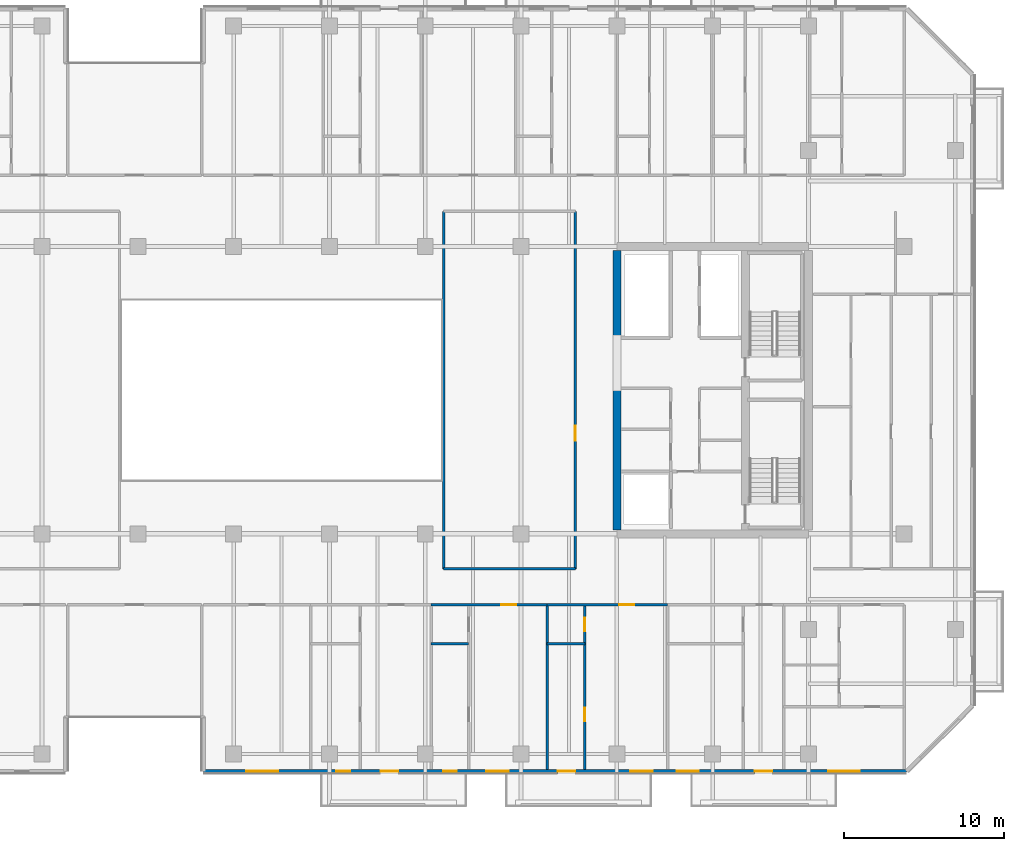
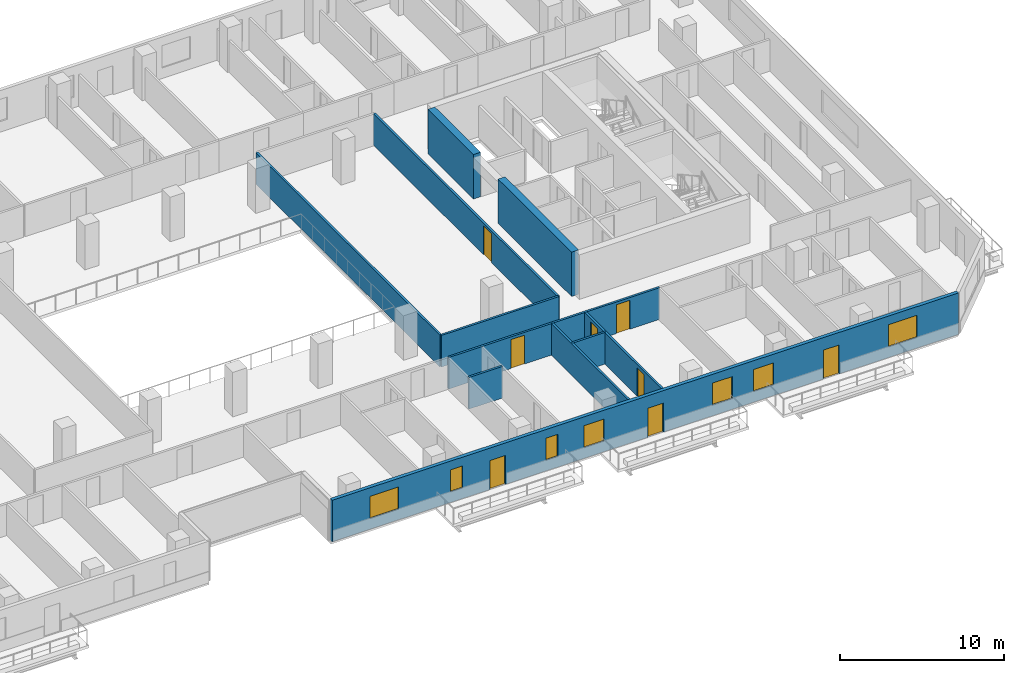
# One storey, part 12 of 23: 12 walls, 8 doors, 7 windows, 15 openings.
"""IFC4 building model written with IfcOpenShell, lengths in metres."""

from ifc_helpers import new_model, si_unit, direction, frame, frame_2d, origin, place, context, subcontext, project, spatial, rectangle, extrude, material, layer, layer_set, type_object, element, fill, save


model = new_model("IFC4")

# Units and contexts
model_context = context("Model", 3, precision=1e-05, world=origin(), true_north=direction((0.0, 1.0)))
body_context = subcontext(model_context, "Body", "Model", "MODEL_VIEW")
ifc_project = project(units=[si_unit("LENGTHUNIT", "METRE"), si_unit("AREAUNIT", "SQUARE_METRE"), si_unit("VOLUMEUNIT", "CUBIC_METRE"), si_unit("PLANEANGLEUNIT", "RADIAN"), si_unit("MASSUNIT", "GRAM", prefix="KILO")], contexts=[model_context])

# Site, building, storey
site_placement = place(None, origin())
site = spatial("IfcSite", under=ifc_project, at=site_placement, CompositionType="ELEMENT")
building_placement = place(site_placement, origin())
building = spatial("IfcBuilding", under=site, at=building_placement, Name="Tanjung Sevakor Pilgrim Tower", CompositionType="ELEMENT")
storey_placement = place(building_placement, frame((0.0, 0.0, 101.969970703125)))
storey = spatial("IfcBuildingStorey", under=building, at=storey_placement, Name="L28", CompositionType="ELEMENT", Elevation=101.969970703125)

# Walls
ifc_material_1 = material(Name="Concrete C60/75", Category="concrete")
ifc_layer_1 = layer(ifc_material_1, 0.5)
ifc_layer_set_1 = layer_set([ifc_layer_1], Name="WALL-CW-500")
wall_type_1 = type_object("IfcWallType", Name="WALL-CW-500", PredefinedType="SHEAR", material=ifc_layer_set_1)
wall_1_placement = place(storey_placement, frame((78.0, 24.85009765625, 0.0), z_axis=(0.0, 0.0, 1.0), x_axis=(0.0, 1.0, 0.0)))
element("IfcWall", 1, at=wall_1_placement, inside=storey, type_object=wall_type_1, Name="L28 E Core Inner Shear Wall South", PredefinedType="SHEAR", context=body_context, shape_type="SweptSolid", body=[
    extrude(rectangle(XDim=8.949951171875, YDim=0.5, at=frame_2d((4.47509765625, 0.0))), origin(), (0.0, 0.0, 1.0), 3.300048828125),
])
wall_2_placement = place(storey_placement, frame((78.0, 36.800048828125, 0.0), z_axis=(0.0, 0.0, 1.0), x_axis=(0.0, 1.0, 0.0)))
element("IfcWall", 2, at=wall_2_placement, inside=storey, type_object=wall_type_1, Name="L28 E Core Inner Shear Wall North", PredefinedType="SHEAR", context=body_context, shape_type="SweptSolid", body=[
    extrude(rectangle(XDim=5.550048828125, YDim=0.5, at=frame_2d((2.77490234375, 0.0))), origin(), (0.0, 0.0, 1.0), 3.300048828125),
])
ifc_material_2 = material(Name="Concrete C40/50", Category="concrete")
ifc_layer_2 = layer(ifc_material_2, 0.14990234375)
ifc_layer_set_2 = layer_set([ifc_layer_2], Name="WT-COMP-150")
wall_type_2 = type_object("IfcWallType", Name="WT-COMP-150", PredefinedType="SOLIDWALL", material=ifc_layer_set_2)
wall_3_placement = place(storey_placement, frame((67.14990234375, 22.39990234375, 0.0), z_axis=(0.0, 0.0, 1.0), x_axis=(1.0, 0.0, 0.0)))
element("IfcWall", 3, at=wall_3_placement, inside=storey, type_object=wall_type_2, Name="L28 Partition IW-L28-029", PredefinedType="SOLIDWALL", context=body_context, shape_type="SweptSolid", body=[
    extrude(rectangle(XDim=8.25, YDim=0.14990234375, at=frame_2d((4.125, 0.0))), origin(), (0.0, 0.0, 1.0), 2.35009765625),
])
wall_4_placement = place(storey_placement, frame((67.14990234375, 22.39990234375, 0.0), z_axis=(0.0, 0.0, 1.0), x_axis=(0.0, 1.0, 0.0)))
element("IfcWall", 4, at=wall_4_placement, inside=storey, type_object=wall_type_2, Name="L28 Partition IW-L28-031", PredefinedType="SOLIDWALL", context=body_context, shape_type="SweptSolid", body=[
    extrude(rectangle(XDim=22.400146484375, YDim=0.14990234375, at=frame_2d((11.2001953125, 0.0))), origin(), (0.0, 0.0, 1.0), 2.35009765625),
])

# Wall, opening, door
wall_5_placement = place(storey_placement, frame((75.39990234375, 22.39990234375, 0.0), z_axis=(0.0, 0.0, 1.0), x_axis=(0.0, 1.0, 0.0)))
wall_5 = element("IfcWall", 5, at=wall_5_placement, inside=storey, type_object=wall_type_2, Name="L28 Partition IW-L28-032", PredefinedType="SOLIDWALL", context=body_context, shape_type="SweptSolid", body=[
    extrude(rectangle(XDim=22.400146484375, YDim=0.14990234375, at=frame_2d((11.2001953125, 0.0))), origin(), (0.0, 0.0, 1.0), 2.35009765625),
])
opening_1_placement = place(wall_5_placement, frame((8.02490234375, 0.0, 0.0)))
opening_1 = element("IfcOpeningElement", 6, at=opening_1_placement, cuts=wall_5, Name="Opening ID-RM1", PredefinedType="OPENING", context=body_context, shape_type="SweptSolid", body=[
    extrude(rectangle(XDim=0.949951171875, YDim=2.14990234375, at=frame_2d((0.47509765625, 1.074951171875))), frame((0.0, 0.0849609375, 0.0), z_axis=(0.0, -1.0, 0.0), x_axis=(1.0, 0.0, 0.0)), (0.0, 0.0, 1.0), 0.169921875),
])
ifc_material_3 = material(Name="Hardwood Timber", Category="wood")
door_type_1 = type_object("IfcDoorType", Name="DT-INT-950", OperationType="NOTDEFINED", PredefinedType="DOOR", material=ifc_material_3)
door_1_placement = place(opening_1_placement, origin())
door_1 = element("IfcDoor", 7, at=door_1_placement, inside=storey, type_object=door_type_1, Name="L28 Central East Room Door", OperationType="SINGLE_SWING_LEFT", OverallHeight=2.14990234375, OverallWidth=0.949951171875, PredefinedType="DOOR", context=body_context, shape_type="SweptSolid", body=[
    extrude(rectangle(XDim=0.949951171875, YDim=2.14990234375, at=frame_2d((0.47509765625, 1.074951171875))), frame((0.0, 0.02490234375, 0.0), z_axis=(0.0, -1.0, 0.0), x_axis=(1.0, 0.0, 0.0)), (0.0, 0.0, 1.0), 0.050048828125),
])
fill(opening_1, door_1)

# Wall
wall_6_placement = place(storey_placement, frame((73.640869140625, 9.85009765625, 0.0), z_axis=(0.0, 0.0, 1.0), x_axis=(0.0, 1.0, 0.0)))
element("IfcWall", 8, at=wall_6_placement, inside=storey, type_object=wall_type_2, Name="L28 Partition IW-L28-064", PredefinedType="SOLIDWALL", context=body_context, shape_type="SweptSolid", body=[
    extrude(rectangle(XDim=10.2998046875, YDim=0.14990234375, at=frame_2d((5.14990234375, 0.0))), origin(), (0.0, 0.0, 1.0), 2.35009765625),
])

# Wall, opening, door
wall_7_placement = place(storey_placement, frame((66.3740234375, 20.14990234375, 0.0), z_axis=(0.0, 0.0, 1.0), x_axis=(1.0, 0.0, 0.0)))
wall_7 = element("IfcWall", 9, at=wall_7_placement, inside=storey, type_object=wall_type_2, Name="L28 Partition IW-L28-067", PredefinedType="SOLIDWALL", context=body_context, shape_type="SweptSolid", body=[
    extrude(rectangle(XDim=7.266845703125, YDim=0.14990234375, at=frame_2d((3.63330078125, 0.0))), origin(), (0.0, 0.0, 1.0), 2.35009765625),
])
opening_2_placement = place(wall_7_placement, frame((4.373291015625, 0.0, 0.0)))
opening_2 = element("IfcOpeningElement", 10, at=opening_2_placement, cuts=wall_7, Name="Opening ID-FD2", PredefinedType="OPENING", context=body_context, shape_type="SweptSolid", body=[
    extrude(rectangle(XDim=0.949951171875, YDim=2.14990234375, at=frame_2d((0.47509765625, 1.074951171875))), frame((0.0, 0.0849609375, 0.0), z_axis=(0.0, -1.0, 0.0), x_axis=(1.0, 0.0, 0.0)), (0.0, 0.0, 1.0), 0.169921875),
])
ifc_material_4 = material(Name="Fire-Rated Timber", Category="wood")
door_type_2 = type_object("IfcDoorType", Name="DT-FIRE-950", OperationType="NOTDEFINED", PredefinedType="DOOR", material=ifc_material_4)
door_2_placement = place(opening_2_placement, origin())
door_2 = element("IfcDoor", 11, at=door_2_placement, inside=storey, type_object=door_type_2, Name="Hostel Quad Entrance", OperationType="SINGLE_SWING_LEFT", OverallHeight=2.14990234375, OverallWidth=0.949951171875, PredefinedType="DOOR", context=body_context, shape_type="SweptSolid", body=[
    extrude(rectangle(XDim=0.949951171875, YDim=2.14990234375, at=frame_2d((0.47509765625, 1.074951171875))), frame((0.0, 0.02490234375, 0.0), z_axis=(0.0, -1.0, 0.0), x_axis=(1.0, 0.0, 0.0)), (0.0, 0.0, 1.0), 0.050048828125),
])
fill(opening_2, door_2)

wall_8_placement = place(storey_placement, frame((73.640869140625, 20.14990234375, 0.0), z_axis=(0.0, 0.0, 1.0), x_axis=(1.0, 0.0, 0.0)))
wall_8 = element("IfcWall", 12, at=wall_8_placement, inside=storey, type_object=wall_type_2, Name="L28 Partition IW-L28-071", PredefinedType="SOLIDWALL", context=body_context, shape_type="SweptSolid", body=[
    extrude(rectangle(XDim=7.546142578125, YDim=0.14990234375, at=frame_2d((3.77294921875, 0.0))), origin(), (0.0, 0.0, 1.0), 2.35009765625),
])
opening_3_placement = place(wall_8_placement, frame((4.51318359375, 0.0, 0.0)))
opening_3 = element("IfcOpeningElement", 13, at=opening_3_placement, cuts=wall_8, Name="Opening ID-FD2", PredefinedType="OPENING", context=body_context, shape_type="SweptSolid", body=[
    extrude(rectangle(XDim=0.949951171875, YDim=2.14990234375, at=frame_2d((0.47509765625, 1.074951171875))), frame((0.0, 0.0849609375, 0.0), z_axis=(0.0, -1.0, 0.0), x_axis=(1.0, 0.0, 0.0)), (0.0, 0.0, 1.0), 0.169921875),
])
door_3_placement = place(opening_3_placement, origin())
door_3 = element("IfcDoor", 14, at=door_3_placement, inside=storey, type_object=door_type_2, Name="Hostel Quad Entrance", OperationType="SINGLE_SWING_RIGHT", OverallHeight=2.14990234375, OverallWidth=0.949951171875, PredefinedType="DOOR", context=body_context, shape_type="SweptSolid", body=[
    extrude(rectangle(XDim=0.949951171875, YDim=2.14990234375, at=frame_2d((0.47509765625, 1.074951171875))), frame((0.0, 0.02490234375, 0.0), z_axis=(0.0, -1.0, 0.0), x_axis=(1.0, 0.0, 0.0)), (0.0, 0.0, 1.0), 0.050048828125),
])
fill(opening_3, door_3)

# Wall, openings, doors, windows
ifc_material_5 = material(Name="Precast concrete C45/55", Category="concrete")
ifc_layer_3 = layer(ifc_material_5, 0.25)
ifc_layer_set_3 = layer_set([ifc_layer_3], Name="WT-EW-STN3")
wall_type_3 = type_object("IfcWallType", Name="WT-EW-STN3", PredefinedType="SOLIDWALL", material=ifc_layer_set_3)
wall_9_placement = place(storey_placement, frame((52.125, 9.72509765625, 0.0), z_axis=(0.0, 0.0, 1.0), x_axis=(1.0, 0.0, 0.0)))
wall_9 = element("IfcWall", 15, at=wall_9_placement, inside=storey, type_object=wall_type_3, Name="L28 MAIN Exterior Wall 5", PredefinedType="SOLIDWALL", context=body_context, shape_type="SweptSolid", body=[
    extrude(rectangle(XDim=44.023193359375, YDim=0.25, at=frame_2d((22.01171875, 0.0))), origin(), (0.0, 0.0, 1.0), 3.080078125),
])
opening_4_placement = place(wall_9_placement, frame((11.074951171875, 0.0, 0.0)))
opening_4 = element("IfcOpeningElement", 16, at=opening_4_placement, cuts=wall_9, Name="Opening ED-BAL-1100", PredefinedType="OPENING", context=body_context, shape_type="SweptSolid", body=[
    extrude(rectangle(XDim=1.10009765625, YDim=2.14990234375, at=frame_2d((0.550048828125, 1.074951171875))), frame((0.0, 0.135009765625, 0.0), z_axis=(0.0, -1.0, 0.0), x_axis=(1.0, 0.0, 0.0)), (0.0, 0.0, 1.0), 0.27001953125),
])
opening_5_placement = place(wall_9_placement, frame((22.175048828125, 0.0, 0.0)))
opening_5 = element("IfcOpeningElement", 17, at=opening_5_placement, cuts=wall_9, Name="Opening ED-BAL-1100", PredefinedType="OPENING", context=body_context, shape_type="SweptSolid", body=[
    extrude(rectangle(XDim=1.10009765625, YDim=2.14990234375, at=frame_2d((0.550048828125, 1.074951171875))), frame((0.0, 0.135009765625, 0.0), z_axis=(0.0, -1.0, 0.0), x_axis=(1.0, 0.0, 0.0)), (0.0, 0.0, 1.0), 0.27001953125),
])
opening_6_placement = place(wall_9_placement, frame((34.52490234375, 0.0, 0.0)))
opening_6 = element("IfcOpeningElement", 18, at=opening_6_placement, cuts=wall_9, Name="Opening ED-BAL-1100", PredefinedType="OPENING", context=body_context, shape_type="SweptSolid", body=[
    extrude(rectangle(XDim=1.10009765625, YDim=2.14990234375, at=frame_2d((0.550048828125, 1.074951171875))), frame((0.0, 0.135009765625, 0.0), z_axis=(0.0, -1.0, 0.0), x_axis=(1.0, 0.0, 0.0)), (0.0, 0.0, 1.0), 0.27001953125),
])
opening_7_placement = place(wall_9_placement, frame((2.6689453125, 0.0, 0.780029296875)))
opening_7 = element("IfcOpeningElement", 19, at=opening_7_placement, cuts=wall_9, Name="Opening WN-Z2-1660", PredefinedType="OPENING", context=body_context, shape_type="SweptSolid", body=[
    extrude(rectangle(XDim=2.0, YDim=1.659912109375, at=frame_2d((1.0, 0.830078125))), frame((0.0, 0.135009765625, 0.0), z_axis=(0.0, -1.0, 0.0), x_axis=(1.0, 0.0, 0.0)), (0.0, 0.0, 1.0), 0.27001953125),
])
opening_8_placement = place(wall_9_placement, frame((8.31396484375, 0.0, 0.780029296875)))
opening_8 = element("IfcOpeningElement", 20, at=opening_8_placement, cuts=wall_9, Name="Opening WN-SLM", PredefinedType="OPENING", context=body_context, shape_type="SweptSolid", body=[
    extrude(rectangle(XDim=0.85009765625, YDim=1.64990234375, at=frame_2d((0.425048828125, 0.824951171875))), frame((0.0, 0.135009765625, 0.0), z_axis=(0.0, -1.0, 0.0), x_axis=(1.0, 0.0, 0.0)), (0.0, 0.0, 1.0), 0.27001953125),
])
opening_9_placement = place(wall_9_placement, frame((15.009033203125, 0.0, 0.780029296875)))
opening_9 = element("IfcOpeningElement", 21, at=opening_9_placement, cuts=wall_9, Name="Opening WN-SLM", PredefinedType="OPENING", context=body_context, shape_type="SweptSolid", body=[
    extrude(rectangle(XDim=0.85009765625, YDim=1.64990234375, at=frame_2d((0.425048828125, 0.824951171875))), frame((0.0, 0.135009765625, 0.0), z_axis=(0.0, -1.0, 0.0), x_axis=(1.0, 0.0, 0.0)), (0.0, 0.0, 1.0), 0.27001953125),
])
opening_10_placement = place(wall_9_placement, frame((17.70751953125, 0.0, 0.780029296875)))
opening_10 = element("IfcOpeningElement", 22, at=opening_10_placement, cuts=wall_9, Name="Opening WN-END", PredefinedType="OPENING", context=body_context, shape_type="SweptSolid", body=[
    extrude(rectangle(XDim=1.39990234375, YDim=1.64990234375, at=frame_2d((0.699951171875, 0.824951171875))), frame((0.0, 0.135009765625, 0.0), z_axis=(0.0, -1.0, 0.0), x_axis=(1.0, 0.0, 0.0)), (0.0, 0.0, 1.0), 0.27001953125),
])
opening_11_placement = place(wall_9_placement, frame((26.7138671875, 0.0, 0.780029296875)))
opening_11 = element("IfcOpeningElement", 23, at=opening_11_placement, cuts=wall_9, Name="Opening WN-END", PredefinedType="OPENING", context=body_context, shape_type="SweptSolid", body=[
    extrude(rectangle(XDim=1.39990234375, YDim=1.64990234375, at=frame_2d((0.699951171875, 0.824951171875))), frame((0.0, 0.135009765625, 0.0), z_axis=(0.0, -1.0, 0.0), x_axis=(1.0, 0.0, 0.0)), (0.0, 0.0, 1.0), 0.27001953125),
])
opening_12_placement = place(wall_9_placement, frame((29.618408203125, 0.0, 0.780029296875)))
opening_12 = element("IfcOpeningElement", 24, at=opening_12_placement, cuts=wall_9, Name="Opening WN-END", PredefinedType="OPENING", context=body_context, shape_type="SweptSolid", body=[
    extrude(rectangle(XDim=1.39990234375, YDim=1.64990234375, at=frame_2d((0.699951171875, 0.824951171875))), frame((0.0, 0.135009765625, 0.0), z_axis=(0.0, -1.0, 0.0), x_axis=(1.0, 0.0, 0.0)), (0.0, 0.0, 1.0), 0.27001953125),
])
opening_13_placement = place(wall_9_placement, frame((39.101806640625, 0.0, 0.780029296875)))
opening_13 = element("IfcOpeningElement", 25, at=opening_13_placement, cuts=wall_9, Name="Opening WN-Z2-1660", PredefinedType="OPENING", context=body_context, shape_type="SweptSolid", body=[
    extrude(rectangle(XDim=2.0, YDim=1.659912109375, at=frame_2d((1.0, 0.830078125))), frame((0.0, 0.135009765625, 0.0), z_axis=(0.0, -1.0, 0.0), x_axis=(1.0, 0.0, 0.0)), (0.0, 0.0, 1.0), 0.27001953125),
])
ifc_material_6 = material(Name="Anodised Aluminium and Laminated Glass", Category="aluminium")
door_type_3 = type_object("IfcDoorType", Name="DTYP-ED-BAL-1100", OperationType="NOTDEFINED", PredefinedType="DOOR", material=ifc_material_6)
door_4_placement = place(opening_4_placement, frame((1.10009765625, 0.0, 0.0), z_axis=(0.0, 0.0, 1.0), x_axis=(-1.0, 0.0, 0.0)))
door_4 = element("IfcDoor", 26, at=door_4_placement, inside=storey, type_object=door_type_3, Name="L28 Balcony Door MAIN-S2", OperationType="SINGLE_SWING_LEFT", OverallHeight=2.14990234375, OverallWidth=1.10009765625, PredefinedType="DOOR", context=body_context, shape_type="SweptSolid", body=[
    extrude(rectangle(XDim=1.10009765625, YDim=2.14990234375, at=frame_2d((0.550048828125, 1.074951171875))), frame((0.0, 0.02490234375, 0.0), z_axis=(0.0, -1.0, 0.0), x_axis=(1.0, 0.0, 0.0)), (0.0, 0.0, 1.0), 0.050048828125),
])
fill(opening_4, door_4)
door_5_placement = place(opening_5_placement, frame((1.10009765625, 0.0, 0.0), z_axis=(0.0, 0.0, 1.0), x_axis=(-1.0, 0.0, 0.0)))
door_5 = element("IfcDoor", 27, at=door_5_placement, inside=storey, type_object=door_type_3, Name="L28 Balcony Door MAIN-S3", OperationType="SINGLE_SWING_RIGHT", OverallHeight=2.14990234375, OverallWidth=1.10009765625, PredefinedType="DOOR", context=body_context, shape_type="SweptSolid", body=[
    extrude(rectangle(XDim=1.10009765625, YDim=2.14990234375, at=frame_2d((0.550048828125, 1.074951171875))), frame((0.0, 0.02490234375, 0.0), z_axis=(0.0, -1.0, 0.0), x_axis=(1.0, 0.0, 0.0)), (0.0, 0.0, 1.0), 0.050048828125),
])
fill(opening_5, door_5)
door_6_placement = place(opening_6_placement, frame((1.10009765625, 0.0, 0.0), z_axis=(0.0, 0.0, 1.0), x_axis=(-1.0, 0.0, 0.0)))
door_6 = element("IfcDoor", 28, at=door_6_placement, inside=storey, type_object=door_type_3, Name="L28 Balcony Door MAIN-S4", OperationType="SINGLE_SWING_LEFT", OverallHeight=2.14990234375, OverallWidth=1.10009765625, PredefinedType="DOOR", context=body_context, shape_type="SweptSolid", body=[
    extrude(rectangle(XDim=1.10009765625, YDim=2.14990234375, at=frame_2d((0.550048828125, 1.074951171875))), frame((0.0, 0.02490234375, 0.0), z_axis=(0.0, -1.0, 0.0), x_axis=(1.0, 0.0, 0.0)), (0.0, 0.0, 1.0), 0.050048828125),
])
fill(opening_6, door_6)
ifc_material_7 = material(Name="Thermally Broken Aluminium and Low-E Glass", Category="aluminium")
window_type_1 = type_object("IfcWindowType", Name="WTYP-WN-END", PartitioningType="SINGLE_PANEL", PredefinedType="WINDOW", material=ifc_material_7)
window_1_placement = place(opening_10_placement, origin())
window_1 = element("IfcWindow", 29, at=window_1_placement, inside=storey, type_object=window_type_1, Name="L28 Facade Window 04", OverallHeight=1.64990234375, OverallWidth=1.39990234375, PartitioningType="SINGLE_PANEL", PredefinedType="WINDOW", context=body_context, shape_type="SweptSolid", body=[
    extrude(rectangle(XDim=1.39990234375, YDim=1.64990234375, at=frame_2d((0.699951171875, 0.824951171875))), frame((0.0, 0.030029296875, 0.0), z_axis=(0.0, -1.0, 0.0), x_axis=(1.0, 0.0, 0.0)), (0.0, 0.0, 1.0), 0.06005859375),
])
fill(opening_10, window_1)
window_2_placement = place(opening_11_placement, origin())
window_2 = element("IfcWindow", 30, at=window_2_placement, inside=storey, type_object=window_type_1, Name="L28 Facade Window 05", OverallHeight=1.64990234375, OverallWidth=1.39990234375, PartitioningType="SINGLE_PANEL", PredefinedType="WINDOW", context=body_context, shape_type="SweptSolid", body=[
    extrude(rectangle(XDim=1.39990234375, YDim=1.64990234375, at=frame_2d((0.699951171875, 0.824951171875))), frame((0.0, 0.030029296875, 0.0), z_axis=(0.0, -1.0, 0.0), x_axis=(1.0, 0.0, 0.0)), (0.0, 0.0, 1.0), 0.06005859375),
])
fill(opening_11, window_2)
window_3_placement = place(opening_12_placement, origin())
window_3 = element("IfcWindow", 31, at=window_3_placement, inside=storey, type_object=window_type_1, Name="L28 Facade Window 06", OverallHeight=1.64990234375, OverallWidth=1.39990234375, PartitioningType="SINGLE_PANEL", PredefinedType="WINDOW", context=body_context, shape_type="SweptSolid", body=[
    extrude(rectangle(XDim=1.39990234375, YDim=1.64990234375, at=frame_2d((0.699951171875, 0.824951171875))), frame((0.0, 0.030029296875, 0.0), z_axis=(0.0, -1.0, 0.0), x_axis=(1.0, 0.0, 0.0)), (0.0, 0.0, 1.0), 0.06005859375),
])
fill(opening_12, window_3)
ifc_material_8 = material(Name="Thermally Broken Aluminium and Low-E Glass", Category="aluminium")
window_type_2 = type_object("IfcWindowType", Name="WTYP-WN-SLM", PartitioningType="SINGLE_PANEL", PredefinedType="WINDOW", material=ifc_material_8)
window_4_placement = place(opening_8_placement, origin())
window_4 = element("IfcWindow", 32, at=window_4_placement, inside=storey, type_object=window_type_2, Name="L28 Facade Window 02", OverallHeight=1.64990234375, OverallWidth=0.85009765625, PartitioningType="SINGLE_PANEL", PredefinedType="WINDOW", context=body_context, shape_type="SweptSolid", body=[
    extrude(rectangle(XDim=0.85009765625, YDim=1.64990234375, at=frame_2d((0.425048828125, 0.824951171875))), frame((0.0, 0.030029296875, 0.0), z_axis=(0.0, -1.0, 0.0), x_axis=(1.0, 0.0, 0.0)), (0.0, 0.0, 1.0), 0.06005859375),
])
fill(opening_8, window_4)
window_5_placement = place(opening_9_placement, origin())
window_5 = element("IfcWindow", 33, at=window_5_placement, inside=storey, type_object=window_type_2, Name="L28 Facade Window 03", OverallHeight=1.64990234375, OverallWidth=0.85009765625, PartitioningType="SINGLE_PANEL", PredefinedType="WINDOW", context=body_context, shape_type="SweptSolid", body=[
    extrude(rectangle(XDim=0.85009765625, YDim=1.64990234375, at=frame_2d((0.425048828125, 0.824951171875))), frame((0.0, 0.030029296875, 0.0), z_axis=(0.0, -1.0, 0.0), x_axis=(1.0, 0.0, 0.0)), (0.0, 0.0, 1.0), 0.06005859375),
])
fill(opening_9, window_5)
ifc_material_9 = material(Name="Thermally Broken Aluminium and Low-E Glass", Category="aluminium")
window_type_3 = type_object("IfcWindowType", Name="WTYP-WN-Z2-1660", PartitioningType="DOUBLE_PANEL_VERTICAL", PredefinedType="WINDOW", material=ifc_material_9)
window_6_placement = place(opening_7_placement, origin())
window_6 = element("IfcWindow", 34, at=window_6_placement, inside=storey, type_object=window_type_3, Name="L28 Facade Window 01", OverallHeight=1.659912109375, OverallWidth=2.0, PartitioningType="SINGLE_PANEL", PredefinedType="WINDOW", context=body_context, shape_type="SweptSolid", body=[
    extrude(rectangle(XDim=2.0, YDim=1.659912109375, at=frame_2d((1.0, 0.830078125))), frame((0.0, 0.030029296875, 0.0), z_axis=(0.0, -1.0, 0.0), x_axis=(1.0, 0.0, 0.0)), (0.0, 0.0, 1.0), 0.06005859375),
])
fill(opening_7, window_6)
window_7_placement = place(opening_13_placement, origin())
window_7 = element("IfcWindow", 35, at=window_7_placement, inside=storey, type_object=window_type_3, Name="L28 Facade Window 07", OverallHeight=1.659912109375, OverallWidth=2.0, PartitioningType="SINGLE_PANEL", PredefinedType="WINDOW", context=body_context, shape_type="SweptSolid", body=[
    extrude(rectangle(XDim=2.0, YDim=1.659912109375, at=frame_2d((1.0, 0.830078125))), frame((0.0, 0.030029296875, 0.0), z_axis=(0.0, -1.0, 0.0), x_axis=(1.0, 0.0, 0.0)), (0.0, 0.0, 1.0), 0.06005859375),
])
fill(opening_13, window_7)

# Walls
ifc_material_10 = material(Name="Gypsum Board Partition", Category="gypsum board")
ifc_layer_4 = layer(ifc_material_10, 0.14990234375)
ifc_layer_set_4 = layer_set([ifc_layer_4], Name="WT-PART-150")
wall_type_4 = type_object("IfcWallType", Name="WT-PART-150", PredefinedType="PARTITIONING", material=ifc_layer_set_4)
wall_10_placement = place(storey_placement, frame((66.3740234375, 17.699951171875, 0.0), z_axis=(0.0, 0.0, 1.0), x_axis=(1.0, 0.0, 0.0)))
element("IfcWall", 36, at=wall_10_placement, inside=storey, type_object=wall_type_4, Name="L28 Partition IW-L28-065", PredefinedType="PARTITIONING", context=body_context, shape_type="SweptSolid", body=[
    extrude(rectangle(XDim=2.35009765625, YDim=0.14990234375, at=frame_2d((1.175048828125, 0.0))), origin(), (0.0, 0.0, 1.0), 2.35009765625),
])
wall_11_placement = place(storey_placement, frame((73.640869140625, 17.699951171875, 0.0), z_axis=(0.0, 0.0, 1.0), x_axis=(1.0, 0.0, 0.0)))
element("IfcWall", 37, at=wall_11_placement, inside=storey, type_object=wall_type_4, Name="L28 Partition IW-L28-069", PredefinedType="PARTITIONING", context=body_context, shape_type="SweptSolid", body=[
    extrude(rectangle(XDim=2.349853515625, YDim=0.14990234375, at=frame_2d((1.1748046875, 0.0))), origin(), (0.0, 0.0, 1.0), 2.35009765625),
])

# Wall, openings, doors
wall_12_placement = place(storey_placement, frame((75.99072265625, 9.85009765625, 0.0), z_axis=(0.0, 0.0, 1.0), x_axis=(0.0, 1.0, 0.0)))
wall_12 = element("IfcWall", 38, at=wall_12_placement, inside=storey, type_object=wall_type_4, Name="L28 Partition IW-L28-070", PredefinedType="PARTITIONING", context=body_context, shape_type="SweptSolid", body=[
    extrude(rectangle(XDim=10.2998046875, YDim=0.14990234375, at=frame_2d((5.14990234375, 0.0))), origin(), (0.0, 0.0, 1.0), 2.35009765625),
])
opening_14_placement = place(wall_12_placement, frame((3.0, 0.0, 0.0)))
opening_14 = element("IfcOpeningElement", 39, at=opening_14_placement, cuts=wall_12, Name="Opening ID-WC1", PredefinedType="OPENING", context=body_context, shape_type="SweptSolid", body=[
    extrude(rectangle(XDim=0.85009765625, YDim=2.10009765625, at=frame_2d((0.425048828125, 1.050048828125))), frame((0.0, 0.0849609375, 0.0), z_axis=(0.0, -1.0, 0.0), x_axis=(1.0, 0.0, 0.0)), (0.0, 0.0, 1.0), 0.169921875),
])
opening_15_placement = place(wall_12_placement, frame((8.64990234375, 0.0, 0.0)))
opening_15 = element("IfcOpeningElement", 40, at=opening_15_placement, cuts=wall_12, Name="Opening ID-WC1", PredefinedType="OPENING", context=body_context, shape_type="SweptSolid", body=[
    extrude(rectangle(XDim=0.85009765625, YDim=2.10009765625, at=frame_2d((0.425048828125, 1.050048828125))), frame((0.0, 0.0849609375, 0.0), z_axis=(0.0, -1.0, 0.0), x_axis=(1.0, 0.0, 0.0)), (0.0, 0.0, 1.0), 0.169921875),
])
ifc_material_11 = material(Name="Moisture-Resistant Timber", Category="wood")
door_type_4 = type_object("IfcDoorType", Name="DT-INT-850", OperationType="NOTDEFINED", PredefinedType="DOOR", material=ifc_material_11)
door_7_placement = place(opening_14_placement, origin())
door_7 = element("IfcDoor", 41, at=door_7_placement, inside=storey, type_object=door_type_4, Name="Study Nook Door", OperationType="SINGLE_SWING_RIGHT", OverallHeight=2.10009765625, OverallWidth=0.85009765625, PredefinedType="DOOR", context=body_context, shape_type="SweptSolid", body=[
    extrude(rectangle(XDim=0.85009765625, YDim=2.10009765625, at=frame_2d((0.425048828125, 1.050048828125))), frame((0.0, 0.02490234375, 0.0), z_axis=(0.0, -1.0, 0.0), x_axis=(1.0, 0.0, 0.0)), (0.0, 0.0, 1.0), 0.050048828125),
])
fill(opening_14, door_7)
door_8_placement = place(opening_15_placement, origin())
door_8 = element("IfcDoor", 42, at=door_8_placement, inside=storey, type_object=door_type_4, Name="Bathroom Door", OperationType="SINGLE_SWING_LEFT", OverallHeight=2.10009765625, OverallWidth=0.85009765625, PredefinedType="DOOR", context=body_context, shape_type="SweptSolid", body=[
    extrude(rectangle(XDim=0.85009765625, YDim=2.10009765625, at=frame_2d((0.425048828125, 1.050048828125))), frame((0.0, 0.02490234375, 0.0), z_axis=(0.0, -1.0, 0.0), x_axis=(1.0, 0.0, 0.0)), (0.0, 0.0, 1.0), 0.050048828125),
])
fill(opening_15, door_8)

save(model, "model.ifc")
